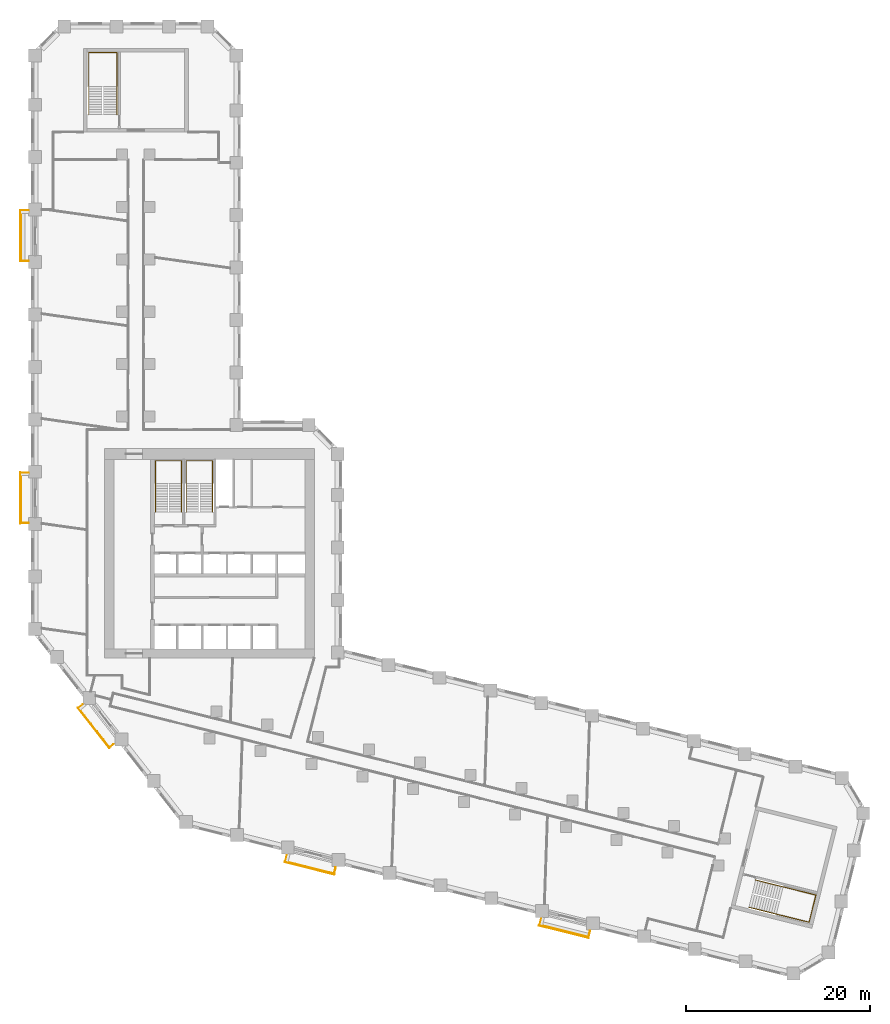
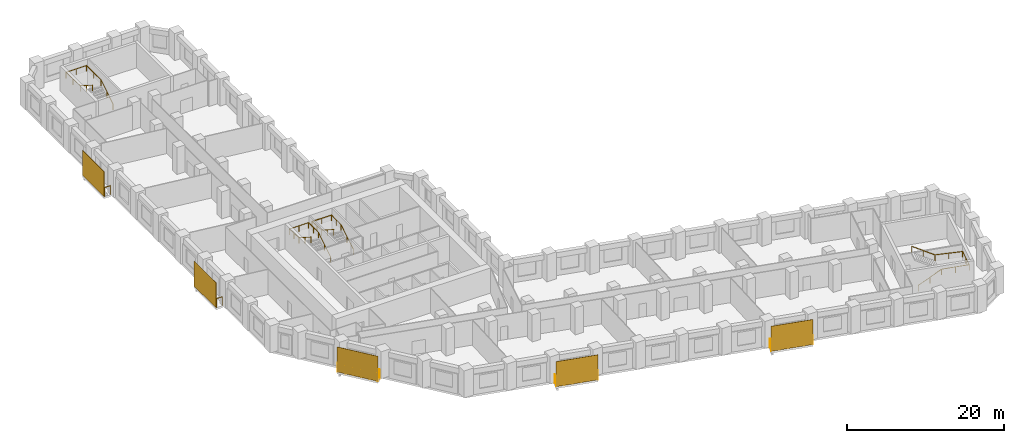
# One storey, part 11 of 11: 9 railings, 5 shading devices.
"""IFC4 building model written with IfcOpenShell, lengths in metres."""

from ifc_helpers import new_model, si_unit, direction, frame, origin, origin_2d, place, context, subcontext, project, spatial, rectangle, circle, extrude, material, layer, layer_set, type_object, element, save


model = new_model("IFC4")

# Units and contexts
model_context = context("Model", 3, precision=1e-05, world=origin(), true_north=direction((0.0, 1.0)))
body_context = subcontext(model_context, "Body", "Model", "MODEL_VIEW")
ifc_project = project(units=[si_unit("LENGTHUNIT", "METRE"), si_unit("AREAUNIT", "SQUARE_METRE"), si_unit("VOLUMEUNIT", "CUBIC_METRE"), si_unit("PLANEANGLEUNIT", "RADIAN"), si_unit("MASSUNIT", "GRAM", prefix="KILO")], contexts=[model_context])

# Site, building, storey
site_placement = place(None, origin())
site = spatial("IfcSite", under=ifc_project, at=site_placement, CompositionType="ELEMENT")
building_placement = place(site_placement, origin())
building = spatial("IfcBuilding", under=site, at=building_placement, Name="Meshkara Civic Tower", CompositionType="ELEMENT")
storey_placement = place(building_placement, frame((0.0, 0.0, 75.0)))
storey = spatial("IfcBuildingStorey", under=building, at=storey_placement, Name="L16", CompositionType="ELEMENT", Elevation=75.0)

# Railings
ifc_material_1 = material(Name="Steel S355", Category="steel")
railing_type_1 = type_object("IfcRailingType", Name="BALUSTRADE GUARD 1400", PredefinedType="BALUSTRADE", material=ifc_material_1)
for number, where, name in (
    (1, (-0.25, 62.735107421875, 0.0), "Balcony guard"),
    (2, (-0.25, 34.235107421875, 0.0), "Balcony guard"),
):
    element("IfcRailing", number, at=place(storey_placement, frame(where)), inside=storey, type_object=railing_type_1, Name=name, PredefinedType="BALUSTRADE", context=body_context, shape_type="SweptSolid", body=[
        extrude(circle(Radius=0.02392578125, at=origin_2d()), frame((0.0, 0.0, 1.3759765625), z_axis=(-1.0, 0.0, 0.0), x_axis=(0.0, -1.0, 0.0)), (0.0, 0.0, 1.0), 0.860107421875),
        extrude(circle(Radius=0.02392578125, at=origin_2d()), frame((-0.860107421875, 0.0, 1.3759765625), z_axis=(0.0, -1.0, 0.0), x_axis=(1.0, 0.0, 0.0)), (0.0, 0.0, 1.0), 5.460205078125),
        extrude(circle(Radius=0.02392578125, at=origin_2d()), frame((-0.860107421875, -5.460205078125, 1.3759765625), z_axis=(1.0, 0.0, 0.0), x_axis=(0.0, 1.0, 0.0)), (0.0, 0.0, 1.0), 0.860107421875),
        extrude(circle(Radius=0.02099609375, at=origin_2d()), origin(), (0.0, 0.0, 1.0), 1.351806640625),
        extrude(circle(Radius=0.02099609375, at=origin_2d()), frame((-0.860107421875, 0.0, 0.0)), (0.0, 0.0, 1.0), 1.351806640625),
        extrude(circle(Radius=0.02099609375, at=origin_2d()), frame((-0.860107421875, -1.092041015625, 0.0)), (0.0, 0.0, 1.0), 1.351806640625),
        extrude(circle(Radius=0.02099609375, at=origin_2d()), frame((-0.860107421875, -2.18408203125, 0.0)), (0.0, 0.0, 1.0), 1.351806640625),
        extrude(circle(Radius=0.02099609375, at=origin_2d()), frame((-0.860107421875, -3.276123046875, 0.0)), (0.0, 0.0, 1.0), 1.351806640625),
        extrude(circle(Radius=0.02099609375, at=origin_2d()), frame((-0.860107421875, -4.3681640625, 0.0)), (0.0, 0.0, 1.0), 1.351806640625),
        extrude(circle(Radius=0.02099609375, at=origin_2d()), frame((-0.860107421875, -5.460205078125, 0.0)), (0.0, 0.0, 1.0), 1.351806640625),
        extrude(circle(Radius=0.02099609375, at=origin_2d()), frame((0.0, -5.460205078125, 0.0)), (0.0, 0.0, 1.0), 1.351806640625),
    ])
railing_1_placement = place(storey_placement, frame((5.623046875, 9.0380859375, 0.0)))
element("IfcRailing", 3, at=railing_1_placement, inside=storey, type_object=railing_type_1, Name="Balcony guard", PredefinedType="BALUSTRADE", context=body_context, shape_type="SweptSolid", body=[
    extrude(circle(Radius=0.02392578125, at=origin_2d()), frame((0.0, 0.0, 1.3759765625), z_axis=(-0.787460425492, -0.616365215018, 0.0), x_axis=(0.616365215018, -0.787460425492, 0.0)), (0.0, 0.0, 1.0), 0.577880859375),
    extrude(circle(Radius=0.02392578125, at=origin_2d()), frame((-0.455078125, -0.356201171875, 1.3759765625), z_axis=(0.615684818606, -0.787992515281, 0.0), x_axis=(0.787992515281, 0.615684818606, 0.0)), (0.0, 0.0, 1.0), 5.460693359375),
    extrude(circle(Radius=0.02392578125, at=origin_2d()), frame((2.906982421875, -4.6591796875, 1.3759765625), z_axis=(0.787460425492, 0.616365215018, 0.0), x_axis=(-0.616365215018, 0.787460425492, 0.0)), (0.0, 0.0, 1.0), 0.577880859375),
    extrude(circle(Radius=0.02099609375, at=origin_2d()), origin(), (0.0, 0.0, 1.0), 1.351806640625),
    extrude(circle(Radius=0.02099609375, at=origin_2d()), frame((-0.455078125, -0.356201171875, 0.0)), (0.0, 0.0, 1.0), 1.351806640625),
    extrude(circle(Radius=0.02099609375, at=origin_2d()), frame((0.21728515625, -1.216796875, 0.0)), (0.0, 0.0, 1.0), 1.351806640625),
    extrude(circle(Radius=0.02099609375, at=origin_2d()), frame((0.8896484375, -2.077392578125, 0.0)), (0.0, 0.0, 1.0), 1.351806640625),
    extrude(circle(Radius=0.02099609375, at=origin_2d()), frame((1.562255859375, -2.93798828125, 0.0)), (0.0, 0.0, 1.0), 1.351806640625),
    extrude(circle(Radius=0.02099609375, at=origin_2d()), frame((2.234619140625, -3.798583984375, 0.0)), (0.0, 0.0, 1.0), 1.351806640625),
    extrude(circle(Radius=0.02099609375, at=origin_2d()), frame((2.906982421875, -4.6591796875, 0.0)), (0.0, 0.0, 1.0), 1.351806640625),
    extrude(circle(Radius=0.02099609375, at=origin_2d()), frame((3.362060546875, -4.302978515625, 0.0)), (0.0, 0.0, 1.0), 1.351806640625),
])
railing_2_placement = place(storey_placement, frame((27.822998046875, -7.347900390625, 0.0)))
element("IfcRailing", 4, at=railing_2_placement, inside=storey, type_object=railing_type_1, Name="Balcony guard", PredefinedType="BALUSTRADE", context=body_context, shape_type="SweptSolid", body=[
    extrude(circle(Radius=0.02392578125, at=origin_2d()), frame((0.0, 0.0, 1.3759765625), z_axis=(-0.241970279911, -0.970283661431, 0.0), x_axis=(0.970283661431, -0.241970279911, 0.0)), (0.0, 0.0, 1.0), 0.71142578125),
    extrude(circle(Radius=0.02392578125, at=origin_2d()), frame((-0.172119140625, -0.690185546875, 1.3759765625), z_axis=(0.970302726319, -0.241893818229, 0.0), x_axis=(0.241893818229, 0.970302726319, 0.0)), (0.0, 0.0, 1.0), 5.460205078125),
    extrude(circle(Radius=0.02392578125, at=origin_2d()), frame((5.1259765625, -2.010986328125, 1.3759765625), z_axis=(0.242050887106, 0.970263555974, 0.0), x_axis=(-0.970263555974, 0.242050887106, 0.0)), (0.0, 0.0, 1.0), 0.711181640625),
    extrude(circle(Radius=0.02099609375, at=origin_2d()), origin(), (0.0, 0.0, 1.0), 1.351806640625),
    extrude(circle(Radius=0.02099609375, at=origin_2d()), frame((-0.172119140625, -0.690185546875, 0.0)), (0.0, 0.0, 1.0), 1.351806640625),
    extrude(circle(Radius=0.02099609375, at=origin_2d()), frame((0.887451171875, -0.954345703125, 0.0)), (0.0, 0.0, 1.0), 1.351806640625),
    extrude(circle(Radius=0.02099609375, at=origin_2d()), frame((1.947021484375, -1.218505859375, 0.0)), (0.0, 0.0, 1.0), 1.351806640625),
    extrude(circle(Radius=0.02099609375, at=origin_2d()), frame((3.0068359375, -1.482666015625, 0.0)), (0.0, 0.0, 1.0), 1.351806640625),
    extrude(circle(Radius=0.02099609375, at=origin_2d()), frame((4.06640625, -1.746826171875, 0.0)), (0.0, 0.0, 1.0), 1.351806640625),
    extrude(circle(Radius=0.02099609375, at=origin_2d()), frame((5.1259765625, -2.010986328125, 0.0)), (0.0, 0.0, 1.0), 1.351806640625),
    extrude(circle(Radius=0.02099609375, at=origin_2d()), frame((5.298095703125, -1.321044921875, 0.0)), (0.0, 0.0, 1.0), 1.351806640625),
])
railing_3_placement = place(storey_placement, frame((55.47705078125, -14.242919921875, 0.0)))
element("IfcRailing", 5, at=railing_3_placement, inside=storey, type_object=railing_type_1, Name="Balcony guard", PredefinedType="BALUSTRADE", context=body_context, shape_type="SweptSolid", body=[
    extrude(circle(Radius=0.02392578125, at=origin_2d()), frame((0.0, 0.0, 1.3759765625), z_axis=(-0.241970279911, -0.970283661431, 0.0), x_axis=(0.970283661431, -0.241970279911, 0.0)), (0.0, 0.0, 1.0), 0.71142578125),
    extrude(circle(Radius=0.02392578125, at=origin_2d()), frame((-0.172119140625, -0.690185546875, 1.3759765625), z_axis=(0.970302726319, -0.241893818229, 0.0), x_axis=(0.241893818229, 0.970302726319, 0.0)), (0.0, 0.0, 1.0), 5.460205078125),
    extrude(circle(Radius=0.02392578125, at=origin_2d()), frame((5.1259765625, -2.010986328125, 1.3759765625), z_axis=(0.24172762774, 0.970344142038, 0.0), x_axis=(-0.970344142038, 0.24172762774, 0.0)), (0.0, 0.0, 1.0), 0.7109375),
    extrude(circle(Radius=0.02099609375, at=origin_2d()), origin(), (0.0, 0.0, 1.0), 1.351806640625),
    extrude(circle(Radius=0.02099609375, at=origin_2d()), frame((-0.172119140625, -0.690185546875, 0.0)), (0.0, 0.0, 1.0), 1.351806640625),
    extrude(circle(Radius=0.02099609375, at=origin_2d()), frame((0.887451171875, -0.954345703125, 0.0)), (0.0, 0.0, 1.0), 1.351806640625),
    extrude(circle(Radius=0.02099609375, at=origin_2d()), frame((1.947021484375, -1.218505859375, 0.0)), (0.0, 0.0, 1.0), 1.351806640625),
    extrude(circle(Radius=0.02099609375, at=origin_2d()), frame((3.0068359375, -1.482666015625, 0.0)), (0.0, 0.0, 1.0), 1.351806640625),
    extrude(circle(Radius=0.02099609375, at=origin_2d()), frame((4.06640625, -1.746826171875, 0.0)), (0.0, 0.0, 1.0), 1.351806640625),
    extrude(circle(Radius=0.02099609375, at=origin_2d()), frame((5.1259765625, -2.010986328125, 0.0)), (0.0, 0.0, 1.0), 1.351806640625),
    extrude(circle(Radius=0.02099609375, at=origin_2d()), frame((5.2978515625, -1.321044921875, 0.0)), (0.0, 0.0, 1.0), 1.351806640625),
])

# Shading devices
ifc_material_2 = material(Name="Perforated bronze anodised aluminium sheet", Category="aluminium")
ifc_layer = layer(ifc_material_2, 0.0400390625)
ifc_layer_set = layer_set([ifc_layer], Name="PERFORATED BRONZE SCREEN")
shading_device_type = type_object("IfcShadingDeviceType", Name="PERFORATED BRONZE SCREEN", PredefinedType="USERDEFINED", material=ifc_layer_set)
for number, where, z_axis, x_axis, name in (
    (6, (-1.179931640625, 60.0048828125, 0.0), (0.0, 0.0, 1.0), (0.0, -1.0, 0.0), "Balcony screen"),
    (7, (-1.179931640625, 31.5048828125, 0.0), (0.0, 0.0, 1.0), (0.0, -1.0, 0.0), "Balcony screen"),
):
    element("IfcShadingDevice", number, at=place(storey_placement, frame(where, z_axis=z_axis, x_axis=x_axis)), inside=storey, type_object=shading_device_type, Name=name, ObjectType="SCREEN", PredefinedType="USERDEFINED", context=body_context, shape_type="SweptSolid", body=[
        extrude(rectangle(XDim=5.580078125, YDim=0.0400390625, at=origin_2d()), origin(), (0.0, 0.0, 1.0), 3.89990234375),
    ])
shading_device_placement = place(storey_placement, frame((6.7939453125, 6.488037109375, 0.0), z_axis=(0.0, 0.0, 1.0), x_axis=(0.615661475326, -0.788010753607, 0.0)))
element("IfcShadingDevice", 8, at=shading_device_placement, inside=storey, type_object=shading_device_type, Name="Balcony screen", ObjectType="SCREEN", PredefinedType="USERDEFINED", context=body_context, shape_type="SweptSolid", body=[
    extrude(rectangle(XDim=5.5810546875, YDim=0.0400390625, at=origin_2d()), origin(), (0.0, 0.0, 1.0), 3.89990234375),
])
for number, where, z_axis, x_axis, name in (
    (9, (30.282958984375, -8.76708984375, 0.0), (0.0, 0.0, 1.0), (0.970295726276, -0.2419218956, 0.0), "Balcony screen"),
    (10, (57.93701171875, -15.660888671875, 0.0), (0.0, 0.0, 1.0), (0.970295726276, -0.2419218956, 0.0), "Balcony screen"),
):
    element("IfcShadingDevice", number, at=place(storey_placement, frame(where, z_axis=z_axis, x_axis=x_axis)), inside=storey, type_object=shading_device_type, Name=name, ObjectType="SCREEN", PredefinedType="USERDEFINED", context=body_context, shape_type="SweptSolid", body=[
        extrude(rectangle(XDim=5.580078125, YDim=0.0400390625, at=origin_2d()), origin(), (0.0, 0.0, 1.0), 3.89990234375),
    ])

# Railings
ifc_material_3 = material(Name="Steel handrail", Category="steel")
railing_type_2 = type_object("IfcRailingType", Name="Stair handrail 900", PredefinedType="HANDRAIL", material=ifc_material_3)
railing_4_placement = place(storey_placement, frame((16.375, 30.0, 0.175048828125)))
element("IfcRailing", 11, at=railing_4_placement, inside=storey, type_object=railing_type_2, Name="L16 ST1 stair handrail 1", PredefinedType="HANDRAIL", context=body_context, shape_type="SweptSolid", body=[
    extrude(circle(Radius=0.02392578125, at=origin_2d()), frame((0.0, 0.0, 0.8759765625), z_axis=(0.0, 0.847998304005, 0.529998940003), x_axis=(-1.0, 0.0, 0.0)), (0.0, 0.0, 1.0), 3.632080078125),
    extrude(circle(Radius=0.02392578125, at=origin_2d()), frame((0.0, 3.080078125, 2.80078125), z_axis=(0.0, 1.0, 0.0), x_axis=(-1.0, 0.0, 0.0)), (0.0, 0.0, 1.0), 2.469970703125),
    extrude(circle(Radius=0.02392578125, at=origin_2d()), frame((0.0, 5.550048828125, 2.80078125), z_axis=(-1.0, 0.0, 0.0), x_axis=(0.0, -1.0, 0.0)), (0.0, 0.0, 1.0), 2.85009765625),
    extrude(circle(Radius=0.02392578125, at=origin_2d()), frame((-2.85009765625, 5.550048828125, 2.80078125), z_axis=(0.0, -0.997505032726, 0.070595394231), x_axis=(1.0, 0.0, 0.0)), (0.0, 0.0, 1.0), 2.47607421875),
    extrude(circle(Radius=0.02392578125, at=origin_2d()), frame((-2.85009765625, 3.080078125, 2.9755859375), z_axis=(0.0, -0.847998304005, 0.529998940003), x_axis=(1.0, 0.0, 0.0)), (0.0, 0.0, 1.0), 3.632080078125),
    extrude(circle(Radius=0.02099609375, at=origin_2d()), origin(), (0.0, 0.0, 1.0), 0.851806640625),
    extrude(circle(Radius=0.02099609375, at=origin_2d()), frame((0.0, 1.5400390625, 0.96240234375)), (0.0, 0.0, 1.0), 0.851806640625),
    extrude(circle(Radius=0.02099609375, at=origin_2d()), frame((0.0, 3.080078125, 1.925048828125)), (0.0, 0.0, 1.0), 0.851806640625),
    extrude(circle(Radius=0.02099609375, at=origin_2d()), frame((0.0, 4.31494140625, 1.925048828125)), (0.0, 0.0, 1.0), 0.851806640625),
    extrude(circle(Radius=0.02099609375, at=origin_2d()), frame((0.0, 5.550048828125, 1.925048828125)), (0.0, 0.0, 1.0), 0.851806640625),
    extrude(circle(Radius=0.02099609375, at=origin_2d()), frame((-1.425048828125, 5.550048828125, 1.925048828125)), (0.0, 0.0, 1.0), 0.851806640625),
    extrude(circle(Radius=0.02099609375, at=origin_2d()), frame((-2.85009765625, 5.550048828125, 1.925048828125)), (0.0, 0.0, 1.0), 0.851806640625),
    extrude(circle(Radius=0.02099609375, at=origin_2d()), frame((-2.85009765625, 4.31494140625, 2.012451171875)), (0.0, 0.0, 1.0), 0.851806640625),
    extrude(circle(Radius=0.02099609375, at=origin_2d()), frame((-2.85009765625, 3.080078125, 2.099853515625)), (0.0, 0.0, 1.0), 0.851806640625),
    extrude(circle(Radius=0.02099609375, at=origin_2d()), frame((-2.85009765625, 1.5400390625, 3.0625)), (0.0, 0.0, 1.0), 0.851806640625),
    extrude(circle(Radius=0.02099609375, at=origin_2d()), frame((-2.85009765625, 0.0, 4.02490234375)), (0.0, 0.0, 1.0), 0.851806640625),
])
railing_5_placement = place(storey_placement, frame((19.72509765625, 30.0, 0.175048828125)))
element("IfcRailing", 12, at=railing_5_placement, inside=storey, type_object=railing_type_2, Name="L16 ST2 stair handrail 1", PredefinedType="HANDRAIL", context=body_context, shape_type="SweptSolid", body=[
    extrude(circle(Radius=0.02392578125, at=origin_2d()), frame((0.0, 0.0, 0.8759765625), z_axis=(0.0, 0.847998304005, 0.529998940003), x_axis=(-1.0, 0.0, 0.0)), (0.0, 0.0, 1.0), 3.632080078125),
    extrude(circle(Radius=0.02392578125, at=origin_2d()), frame((0.0, 3.080078125, 2.80078125), z_axis=(0.0, 1.0, 0.0), x_axis=(-1.0, 0.0, 0.0)), (0.0, 0.0, 1.0), 2.469970703125),
    extrude(circle(Radius=0.02392578125, at=origin_2d()), frame((0.0, 5.550048828125, 2.80078125), z_axis=(-1.0, 0.0, 0.0), x_axis=(0.0, -1.0, 0.0)), (0.0, 0.0, 1.0), 2.85009765625),
    extrude(circle(Radius=0.02392578125, at=origin_2d()), frame((-2.85009765625, 5.550048828125, 2.80078125), z_axis=(0.0, -0.997505032726, 0.070595394231), x_axis=(1.0, 0.0, 0.0)), (0.0, 0.0, 1.0), 2.47607421875),
    extrude(circle(Radius=0.02392578125, at=origin_2d()), frame((-2.85009765625, 3.080078125, 2.9755859375), z_axis=(0.0, -0.847998304005, 0.529998940003), x_axis=(1.0, 0.0, 0.0)), (0.0, 0.0, 1.0), 3.632080078125),
    extrude(circle(Radius=0.02099609375, at=origin_2d()), origin(), (0.0, 0.0, 1.0), 0.851806640625),
    extrude(circle(Radius=0.02099609375, at=origin_2d()), frame((0.0, 1.5400390625, 0.96240234375)), (0.0, 0.0, 1.0), 0.851806640625),
    extrude(circle(Radius=0.02099609375, at=origin_2d()), frame((0.0, 3.080078125, 1.925048828125)), (0.0, 0.0, 1.0), 0.851806640625),
    extrude(circle(Radius=0.02099609375, at=origin_2d()), frame((0.0, 4.31494140625, 1.925048828125)), (0.0, 0.0, 1.0), 0.851806640625),
    extrude(circle(Radius=0.02099609375, at=origin_2d()), frame((0.0, 5.550048828125, 1.925048828125)), (0.0, 0.0, 1.0), 0.851806640625),
    extrude(circle(Radius=0.02099609375, at=origin_2d()), frame((-1.425048828125, 5.550048828125, 1.925048828125)), (0.0, 0.0, 1.0), 0.851806640625),
    extrude(circle(Radius=0.02099609375, at=origin_2d()), frame((-2.85009765625, 5.550048828125, 1.925048828125)), (0.0, 0.0, 1.0), 0.851806640625),
    extrude(circle(Radius=0.02099609375, at=origin_2d()), frame((-2.85009765625, 4.31494140625, 2.012451171875)), (0.0, 0.0, 1.0), 0.851806640625),
    extrude(circle(Radius=0.02099609375, at=origin_2d()), frame((-2.85009765625, 3.080078125, 2.099853515625)), (0.0, 0.0, 1.0), 0.851806640625),
    extrude(circle(Radius=0.02099609375, at=origin_2d()), frame((-2.85009765625, 1.5400390625, 3.0625)), (0.0, 0.0, 1.0), 0.851806640625),
    extrude(circle(Radius=0.02099609375, at=origin_2d()), frame((-2.85009765625, 0.0, 4.02490234375)), (0.0, 0.0, 1.0), 0.851806640625),
])
railing_6_placement = place(storey_placement, frame((9.324951171875, 73.169921875, 0.175048828125)))
element("IfcRailing", 13, at=railing_6_placement, inside=storey, type_object=railing_type_2, Name="L16 ESA1 stair handrail 1", PredefinedType="HANDRAIL", context=body_context, shape_type="SweptSolid", body=[
    extrude(circle(Radius=0.02392578125, at=origin_2d()), frame((0.0, 0.0, 0.8759765625), z_axis=(0.0, 0.847998304005, 0.529998940003), x_axis=(-1.0, 0.0, 0.0)), (0.0, 0.0, 1.0), 3.632080078125),
    extrude(circle(Radius=0.02392578125, at=origin_2d()), frame((0.0, 3.080078125, 2.80078125), z_axis=(0.0, 1.0, 0.0), x_axis=(-1.0, 0.0, 0.0)), (0.0, 0.0, 1.0), 3.669921875),
    extrude(circle(Radius=0.02392578125, at=origin_2d()), frame((0.0, 6.75, 2.80078125), z_axis=(-1.0, 0.0, 0.0), x_axis=(0.0, -1.0, 0.0)), (0.0, 0.0, 1.0), 3.050048828125),
    extrude(circle(Radius=0.02392578125, at=origin_2d()), frame((-3.050048828125, 6.75, 2.80078125), z_axis=(0.0, -0.998867536292, 0.047577777806), x_axis=(1.0, 0.0, 0.0)), (0.0, 0.0, 1.0), 3.674072265625),
    extrude(circle(Radius=0.02392578125, at=origin_2d()), frame((-3.050048828125, 3.080078125, 2.9755859375), z_axis=(0.0, -0.847998304005, 0.529998940003), x_axis=(1.0, 0.0, 0.0)), (0.0, 0.0, 1.0), 3.632080078125),
    extrude(circle(Radius=0.02099609375, at=origin_2d()), origin(), (0.0, 0.0, 1.0), 0.851806640625),
    extrude(circle(Radius=0.02099609375, at=origin_2d()), frame((0.0, 1.5400390625, 0.96240234375)), (0.0, 0.0, 1.0), 0.851806640625),
    extrude(circle(Radius=0.02099609375, at=origin_2d()), frame((0.0, 3.080078125, 1.925048828125)), (0.0, 0.0, 1.0), 0.851806640625),
    extrude(circle(Radius=0.02099609375, at=origin_2d()), frame((0.0, 4.9150390625, 1.925048828125)), (0.0, 0.0, 1.0), 0.851806640625),
    extrude(circle(Radius=0.02099609375, at=origin_2d()), frame((0.0, 6.75, 1.925048828125)), (0.0, 0.0, 1.0), 0.851806640625),
    extrude(circle(Radius=0.02099609375, at=origin_2d()), frame((-1.52490234375, 6.75, 1.925048828125)), (0.0, 0.0, 1.0), 0.851806640625),
    extrude(circle(Radius=0.02099609375, at=origin_2d()), frame((-3.050048828125, 6.75, 1.925048828125)), (0.0, 0.0, 1.0), 0.851806640625),
    extrude(circle(Radius=0.02099609375, at=origin_2d()), frame((-3.050048828125, 4.9150390625, 2.012451171875)), (0.0, 0.0, 1.0), 0.851806640625),
    extrude(circle(Radius=0.02099609375, at=origin_2d()), frame((-3.050048828125, 3.080078125, 2.099853515625)), (0.0, 0.0, 1.0), 0.851806640625),
    extrude(circle(Radius=0.02099609375, at=origin_2d()), frame((-3.050048828125, 1.5400390625, 3.0625)), (0.0, 0.0, 1.0), 0.851806640625),
    extrude(circle(Radius=0.02099609375, at=origin_2d()), frame((-3.050048828125, 0.0, 4.02490234375)), (0.0, 0.0, 1.0), 0.851806640625),
])
railing_7_placement = place(storey_placement, frame((78.045166015625, -12.99169921875, 0.175048828125)))
element("IfcRailing", 14, at=railing_7_placement, inside=storey, type_object=railing_type_2, Name="L16 ESB1 stair handrail 1", PredefinedType="HANDRAIL", context=body_context, shape_type="SweptSolid", body=[
    extrude(circle(Radius=0.02392578125, at=origin_2d()), frame((0.0, 0.0, 0.8759765625), z_axis=(0.822781968105, -0.205275396666, 0.529992306062), x_axis=(0.242069343812, 0.970258951408, 0.0)), (0.0, 0.0, 1.0), 3.63232421875),
    extrude(circle(Radius=0.02392578125, at=origin_2d()), frame((2.988525390625, -0.74560546875, 2.80078125), z_axis=(0.970255876456, -0.242081668456, 0.0), x_axis=(0.242081668456, 0.970255876456, 0.0)), (0.0, 0.0, 1.0), 3.669921875),
    extrude(circle(Radius=0.02392578125, at=origin_2d()), frame((6.54931640625, -1.634033203125, 2.80078125), z_axis=(0.242064726708, 0.970260103315, 0.0), x_axis=(-0.970260103315, 0.242064726708, 0.0)), (0.0, 0.0, 1.0), 3.050048828125),
    extrude(circle(Radius=0.02392578125, at=origin_2d()), frame((7.28759765625, 1.3251953125, 2.80078125), z_axis=(-0.969157113986, 0.241807524018, 0.047577407858), x_axis=(-0.242081668456, -0.970255876456, 0.0)), (0.0, 0.0, 1.0), 3.674072265625),
    extrude(circle(Radius=0.02392578125, at=origin_2d()), frame((3.726806640625, 2.213623046875, 2.9755859375), z_axis=(-0.822781968105, 0.205275396666, 0.529992306062), x_axis=(-0.242069343812, -0.970258951408, 0.0)), (0.0, 0.0, 1.0), 3.63232421875),
    extrude(circle(Radius=0.02099609375, at=origin_2d()), origin(), (0.0, 0.0, 1.0), 0.851806640625),
    extrude(circle(Radius=0.02099609375, at=origin_2d()), frame((1.494140625, -0.372802734375, 0.96240234375)), (0.0, 0.0, 1.0), 0.851806640625),
    extrude(circle(Radius=0.02099609375, at=origin_2d()), frame((2.988525390625, -0.74560546875, 1.925048828125)), (0.0, 0.0, 1.0), 0.851806640625),
    extrude(circle(Radius=0.02099609375, at=origin_2d()), frame((4.76904296875, -1.18994140625, 1.925048828125)), (0.0, 0.0, 1.0), 0.851806640625),
    extrude(circle(Radius=0.02099609375, at=origin_2d()), frame((6.54931640625, -1.634033203125, 1.925048828125)), (0.0, 0.0, 1.0), 0.851806640625),
    extrude(circle(Radius=0.02099609375, at=origin_2d()), frame((6.91845703125, -0.154296875, 1.925048828125)), (0.0, 0.0, 1.0), 0.851806640625),
    extrude(circle(Radius=0.02099609375, at=origin_2d()), frame((7.28759765625, 1.3251953125, 1.925048828125)), (0.0, 0.0, 1.0), 0.851806640625),
    extrude(circle(Radius=0.02099609375, at=origin_2d()), frame((5.50732421875, 1.76953125, 2.012451171875)), (0.0, 0.0, 1.0), 0.851806640625),
    extrude(circle(Radius=0.02099609375, at=origin_2d()), frame((3.726806640625, 2.213623046875, 2.099853515625)), (0.0, 0.0, 1.0), 0.851806640625),
    extrude(circle(Radius=0.02099609375, at=origin_2d()), frame((2.232421875, 2.58642578125, 3.0625)), (0.0, 0.0, 1.0), 0.851806640625),
    extrude(circle(Radius=0.02099609375, at=origin_2d()), frame((0.73828125, 2.959228515625, 4.02490234375)), (0.0, 0.0, 1.0), 0.851806640625),
])

save(model, "model.ifc")
